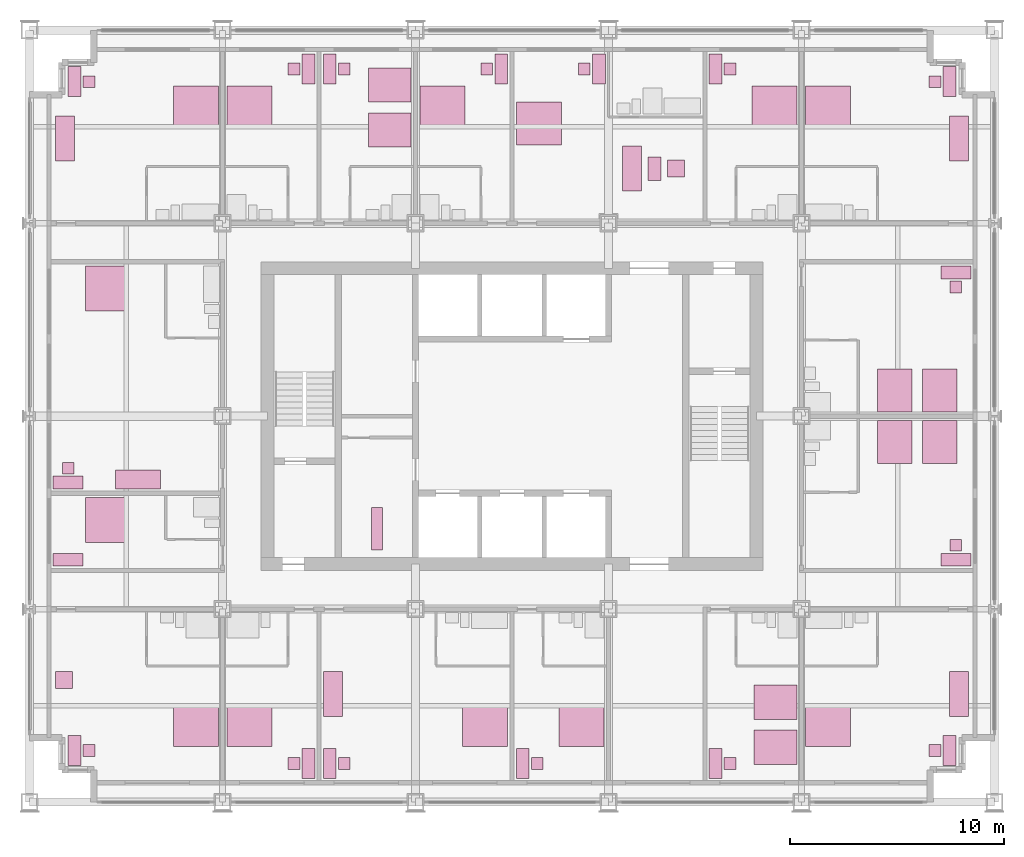
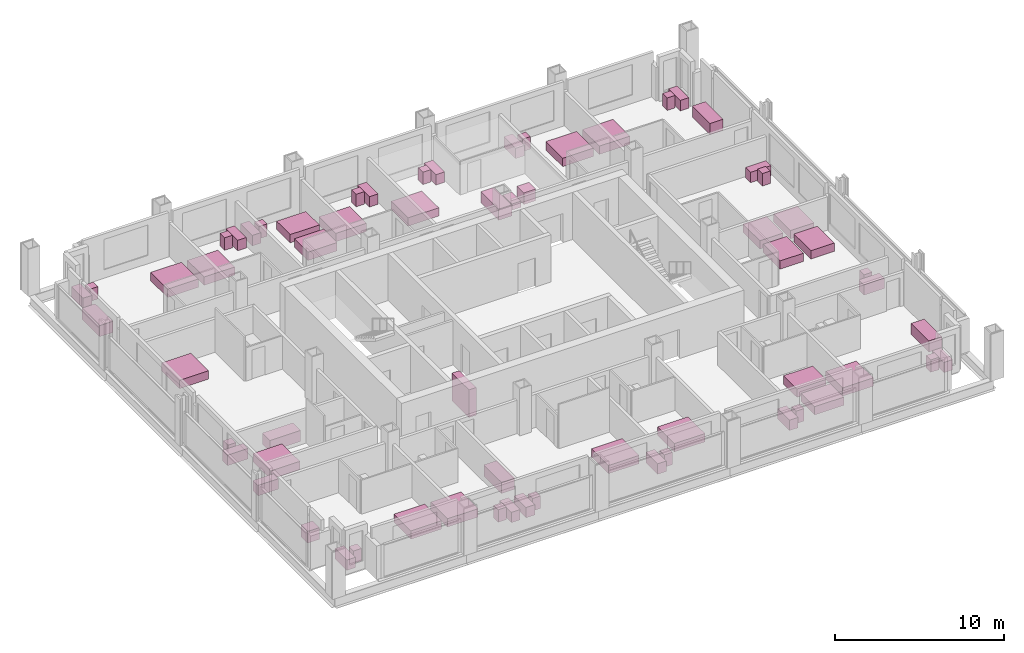
# One storey, part 16 of 16: 64 furniture elements.
"""IFC4 building model written with IfcOpenShell, lengths in metres."""

from ifc_helpers import new_model, si_unit, direction, frame, origin, origin_2d, place, context, subcontext, project, spatial, rectangle, extrude, element, save


model = new_model("IFC4")

# Units and contexts
model_context = context("Model", 3, precision=1e-05, world=origin(), true_north=direction((0.0, 1.0)))
body_context = subcontext(model_context, "Body", "Model", "MODEL_VIEW")
ifc_project = project(units=[si_unit("LENGTHUNIT", "METRE"), si_unit("AREAUNIT", "SQUARE_METRE"), si_unit("VOLUMEUNIT", "CUBIC_METRE"), si_unit("PLANEANGLEUNIT", "RADIAN"), si_unit("MASSUNIT", "GRAM", prefix="KILO")], contexts=[model_context])

# Site, building, storey
site_placement = place(None, origin())
site = spatial("IfcSite", under=ifc_project, at=site_placement, CompositionType="ELEMENT")
building_placement = place(site_placement, origin())
building = spatial("IfcBuilding", under=site, at=building_placement, Name="Loomwork Tower", CompositionType="ELEMENT")
storey_placement = place(building_placement, frame((0.0, 0.0, 101.0)))
storey = spatial("IfcBuildingStorey", under=building, at=storey_placement, Name="L26", CompositionType="ELEMENT", Elevation=101.0)

# Furniture
furniture_1_placement = place(storey_placement, frame((7.75, 3.60009765625, 0.0), z_axis=(0.0, 0.0, 1.0), x_axis=(1.0, 0.0, 0.0)))
element("IfcFurniture", 1, at=furniture_1_placement, inside=storey, Name="King bed L26", PredefinedType="BED", context=body_context, shape_type="SweptSolid", body=[
    extrude(rectangle(XDim=2.10009765625, YDim=2.0, at=origin_2d()), origin(), (0.0, 0.0, 1.0), 0.60009765625),
])
furniture_2_placement = place(storey_placement, frame((2.10009765625, 2.39990234375, 0.0), z_axis=(0.0, 0.0, 1.0), x_axis=(1.0, 0.0, 0.0)))
element("IfcFurniture", 2, at=furniture_2_placement, inside=storey, Name="Writing desk L26", PredefinedType="DESK", context=body_context, shape_type="SweptSolid", body=[
    extrude(rectangle(XDim=0.60009765625, YDim=1.39990234375, at=origin_2d()), origin(), (0.0, 0.0, 1.0), 0.75),
])
furniture_3_placement = place(storey_placement, frame((2.77490234375, 2.39990234375, 0.0), z_axis=(0.0, 0.0, 1.0), x_axis=(1.0, 0.0, 0.0)))
element("IfcFurniture", 3, at=furniture_3_placement, inside=storey, Name="Desk chair L26", PredefinedType="CHAIR", context=body_context, shape_type="SweptSolid", body=[
    extrude(rectangle(XDim=0.550048828125, YDim=0.550048828125, at=origin_2d()), origin(), (0.0, 0.0, 1.0), 0.89990234375),
])
furniture_4_placement = place(storey_placement, frame((1.60009765625, 5.699951171875, 0.0), z_axis=(0.0, 0.0, 1.0), x_axis=(1.0, 0.0, 0.0)))
element("IfcFurniture", 4, at=furniture_4_placement, inside=storey, Name="Lounge armchair L26", PredefinedType="CHAIR", context=body_context, shape_type="SweptSolid", body=[
    extrude(rectangle(XDim=0.800048828125, YDim=0.800048828125, at=origin_2d()), origin(), (0.0, 0.0, 1.0), 0.85009765625),
])
furniture_5_placement = place(storey_placement, frame((10.25, 3.60009765625, 0.0), z_axis=(0.0, 0.0, 1.0), x_axis=(1.0, 0.0, 0.0)))
element("IfcFurniture", 5, at=furniture_5_placement, inside=storey, Name="King bed L26", PredefinedType="BED", context=body_context, shape_type="SweptSolid", body=[
    extrude(rectangle(XDim=2.10009765625, YDim=2.0, at=origin_2d()), origin(), (0.0, 0.0, 1.0), 0.60009765625),
])
furniture_6_placement = place(storey_placement, frame((13.0, 1.800048828125, 0.0), z_axis=(0.0, 0.0, 1.0), x_axis=(1.0, 0.0, 0.0)))
element("IfcFurniture", 6, at=furniture_6_placement, inside=storey, Name="Writing desk L26", PredefinedType="DESK", context=body_context, shape_type="SweptSolid", body=[
    extrude(rectangle(XDim=0.60009765625, YDim=1.39990234375, at=origin_2d()), origin(), (0.0, 0.0, 1.0), 0.75),
])
furniture_7_placement = place(storey_placement, frame((12.324951171875, 1.800048828125, 0.0), z_axis=(0.0, 0.0, 1.0), x_axis=(1.0, 0.0, 0.0)))
element("IfcFurniture", 7, at=furniture_7_placement, inside=storey, Name="Desk chair L26", PredefinedType="CHAIR", context=body_context, shape_type="SweptSolid", body=[
    extrude(rectangle(XDim=0.550048828125, YDim=0.550048828125, at=origin_2d()), origin(), (0.0, 0.0, 1.0), 0.89990234375),
])
furniture_8_placement = place(storey_placement, frame((21.25, 3.60009765625, 0.0), z_axis=(0.0, 0.0, 1.0), x_axis=(1.0, 0.0, 0.0)))
element("IfcFurniture", 8, at=furniture_8_placement, inside=storey, Name="King bed L26", PredefinedType="BED", context=body_context, shape_type="SweptSolid", body=[
    extrude(rectangle(XDim=2.10009765625, YDim=2.0, at=origin_2d()), origin(), (0.0, 0.0, 1.0), 0.60009765625),
])
furniture_9_placement = place(storey_placement, frame((14.0, 1.800048828125, 0.0), z_axis=(0.0, 0.0, 1.0), x_axis=(1.0, 0.0, 0.0)))
element("IfcFurniture", 9, at=furniture_9_placement, inside=storey, Name="Writing desk L26", PredefinedType="DESK", context=body_context, shape_type="SweptSolid", body=[
    extrude(rectangle(XDim=0.60009765625, YDim=1.39990234375, at=origin_2d()), origin(), (0.0, 0.0, 1.0), 0.75),
])
furniture_10_placement = place(storey_placement, frame((14.675048828125, 1.800048828125, 0.0), z_axis=(0.0, 0.0, 1.0), x_axis=(1.0, 0.0, 0.0)))
element("IfcFurniture", 10, at=furniture_10_placement, inside=storey, Name="Desk chair L26", PredefinedType="CHAIR", context=body_context, shape_type="SweptSolid", body=[
    extrude(rectangle(XDim=0.550048828125, YDim=0.550048828125, at=origin_2d()), origin(), (0.0, 0.0, 1.0), 0.89990234375),
])
furniture_11_placement = place(storey_placement, frame((14.14990234375, 5.050048828125, 0.0), z_axis=(0.0, 0.0, 1.0), x_axis=(1.0, 0.0, 0.0)))
element("IfcFurniture", 11, at=furniture_11_placement, inside=storey, Name="Sofa L26", PredefinedType="SOFA", context=body_context, shape_type="SweptSolid", body=[
    extrude(rectangle(XDim=0.89990234375, YDim=2.10009765625, at=origin_2d()), origin(), (0.0, 0.0, 1.0), 0.800048828125),
])
furniture_12_placement = place(storey_placement, frame((25.75, 3.60009765625, 0.0), z_axis=(0.0, 0.0, 1.0), x_axis=(1.0, 0.0, 0.0)))
element("IfcFurniture", 12, at=furniture_12_placement, inside=storey, Name="King bed L26", PredefinedType="BED", context=body_context, shape_type="SweptSolid", body=[
    extrude(rectangle(XDim=2.10009765625, YDim=2.0, at=origin_2d()), origin(), (0.0, 0.0, 1.0), 0.60009765625),
])
furniture_13_placement = place(storey_placement, frame((23.0, 1.800048828125, 0.0), z_axis=(0.0, 0.0, 1.0), x_axis=(1.0, 0.0, 0.0)))
element("IfcFurniture", 13, at=furniture_13_placement, inside=storey, Name="Writing desk L26", PredefinedType="DESK", context=body_context, shape_type="SweptSolid", body=[
    extrude(rectangle(XDim=0.60009765625, YDim=1.39990234375, at=origin_2d()), origin(), (0.0, 0.0, 1.0), 0.75),
])
furniture_14_placement = place(storey_placement, frame((23.675048828125, 1.800048828125, 0.0), z_axis=(0.0, 0.0, 1.0), x_axis=(1.0, 0.0, 0.0)))
element("IfcFurniture", 14, at=furniture_14_placement, inside=storey, Name="Desk chair L26", PredefinedType="CHAIR", context=body_context, shape_type="SweptSolid", body=[
    extrude(rectangle(XDim=0.550048828125, YDim=0.550048828125, at=origin_2d()), origin(), (0.0, 0.0, 1.0), 0.89990234375),
])
for number, where, z_axis, x_axis, name in (
    (15, (34.800048828125, 4.64990234375, 0.0), (0.0, 0.0, 1.0), (1.0, 0.0, 0.0), "Queen bed L26"),
    (16, (34.800048828125, 2.550048828125, 0.0), (0.0, 0.0, 1.0), (1.0, 0.0, 0.0), "Queen bed L26"),
):
    element("IfcFurniture", number, at=place(storey_placement, frame(where, z_axis=z_axis, x_axis=x_axis)), inside=storey, Name=name, PredefinedType="BED", context=body_context, shape_type="SweptSolid", body=[
        extrude(rectangle(XDim=2.0, YDim=1.60009765625, at=origin_2d()), origin(), (0.0, 0.0, 1.0), 0.60009765625),
    ])
furniture_15_placement = place(storey_placement, frame((32.0, 1.800048828125, 0.0), z_axis=(0.0, 0.0, 1.0), x_axis=(1.0, 0.0, 0.0)))
element("IfcFurniture", 17, at=furniture_15_placement, inside=storey, Name="Writing desk L26", PredefinedType="DESK", context=body_context, shape_type="SweptSolid", body=[
    extrude(rectangle(XDim=0.60009765625, YDim=1.39990234375, at=origin_2d()), origin(), (0.0, 0.0, 1.0), 0.75),
])
furniture_16_placement = place(storey_placement, frame((32.675048828125, 1.800048828125, 0.0), z_axis=(0.0, 0.0, 1.0), x_axis=(1.0, 0.0, 0.0)))
element("IfcFurniture", 18, at=furniture_16_placement, inside=storey, Name="Desk chair L26", PredefinedType="CHAIR", context=body_context, shape_type="SweptSolid", body=[
    extrude(rectangle(XDim=0.550048828125, YDim=0.550048828125, at=origin_2d()), origin(), (0.0, 0.0, 1.0), 0.89990234375),
])
furniture_17_placement = place(storey_placement, frame((37.25, 3.60009765625, 0.0), z_axis=(0.0, 0.0, 1.0), x_axis=(1.0, 0.0, 0.0)))
element("IfcFurniture", 19, at=furniture_17_placement, inside=storey, Name="King bed L26", PredefinedType="BED", context=body_context, shape_type="SweptSolid", body=[
    extrude(rectangle(XDim=2.10009765625, YDim=2.0, at=origin_2d()), origin(), (0.0, 0.0, 1.0), 0.60009765625),
])
furniture_18_placement = place(storey_placement, frame((42.89990234375, 2.39990234375, 0.0), z_axis=(0.0, 0.0, 1.0), x_axis=(1.0, 0.0, 0.0)))
element("IfcFurniture", 20, at=furniture_18_placement, inside=storey, Name="Writing desk L26", PredefinedType="DESK", context=body_context, shape_type="SweptSolid", body=[
    extrude(rectangle(XDim=0.60009765625, YDim=1.39990234375, at=origin_2d()), origin(), (0.0, 0.0, 1.0), 0.75),
])
furniture_19_placement = place(storey_placement, frame((42.22509765625, 2.39990234375, 0.0), z_axis=(0.0, 0.0, 1.0), x_axis=(1.0, 0.0, 0.0)))
element("IfcFurniture", 21, at=furniture_19_placement, inside=storey, Name="Desk chair L26", PredefinedType="CHAIR", context=body_context, shape_type="SweptSolid", body=[
    extrude(rectangle(XDim=0.550048828125, YDim=0.550048828125, at=origin_2d()), origin(), (0.0, 0.0, 1.0), 0.89990234375),
])
furniture_20_placement = place(storey_placement, frame((43.35009765625, 5.050048828125, 0.0), z_axis=(0.0, 0.0, 1.0), x_axis=(1.0, 0.0, 0.0)))
element("IfcFurniture", 22, at=furniture_20_placement, inside=storey, Name="Sofa L26", PredefinedType="SOFA", context=body_context, shape_type="SweptSolid", body=[
    extrude(rectangle(XDim=0.89990234375, YDim=2.10009765625, at=origin_2d()), origin(), (0.0, 0.0, 1.0), 0.800048828125),
])
furniture_21_placement = place(storey_placement, frame((7.75, 32.39990234375, 0.0), z_axis=(0.0, 0.0, 1.0), x_axis=(1.0, 0.0, 0.0)))
element("IfcFurniture", 23, at=furniture_21_placement, inside=storey, Name="King bed L26", PredefinedType="BED", context=body_context, shape_type="SweptSolid", body=[
    extrude(rectangle(XDim=2.10009765625, YDim=2.0, at=origin_2d()), origin(), (0.0, 0.0, 1.0), 0.60009765625),
])
furniture_22_placement = place(storey_placement, frame((2.10009765625, 33.60009765625, 0.0), z_axis=(0.0, 0.0, 1.0), x_axis=(1.0, 0.0, 0.0)))
element("IfcFurniture", 24, at=furniture_22_placement, inside=storey, Name="Writing desk L26", PredefinedType="DESK", context=body_context, shape_type="SweptSolid", body=[
    extrude(rectangle(XDim=0.60009765625, YDim=1.39990234375, at=origin_2d()), origin(), (0.0, 0.0, 1.0), 0.75),
])
furniture_23_placement = place(storey_placement, frame((2.77490234375, 33.60009765625, 0.0), z_axis=(0.0, 0.0, 1.0), x_axis=(1.0, 0.0, 0.0)))
element("IfcFurniture", 25, at=furniture_23_placement, inside=storey, Name="Desk chair L26", PredefinedType="CHAIR", context=body_context, shape_type="SweptSolid", body=[
    extrude(rectangle(XDim=0.550048828125, YDim=0.550048828125, at=origin_2d()), origin(), (0.0, 0.0, 1.0), 0.89990234375),
])
furniture_24_placement = place(storey_placement, frame((1.64990234375, 30.949951171875, 0.0), z_axis=(0.0, 0.0, 1.0), x_axis=(1.0, 0.0, 0.0)))
element("IfcFurniture", 26, at=furniture_24_placement, inside=storey, Name="Sofa L26", PredefinedType="SOFA", context=body_context, shape_type="SweptSolid", body=[
    extrude(rectangle(XDim=0.89990234375, YDim=2.10009765625, at=origin_2d()), origin(), (0.0, 0.0, 1.0), 0.800048828125),
])
furniture_25_placement = place(storey_placement, frame((10.25, 32.39990234375, 0.0), z_axis=(0.0, 0.0, 1.0), x_axis=(1.0, 0.0, 0.0)))
element("IfcFurniture", 27, at=furniture_25_placement, inside=storey, Name="King bed L26", PredefinedType="BED", context=body_context, shape_type="SweptSolid", body=[
    extrude(rectangle(XDim=2.10009765625, YDim=2.0, at=origin_2d()), origin(), (0.0, 0.0, 1.0), 0.60009765625),
])
furniture_26_placement = place(storey_placement, frame((13.0, 34.199951171875, 0.0), z_axis=(0.0, 0.0, 1.0), x_axis=(1.0, 0.0, 0.0)))
element("IfcFurniture", 28, at=furniture_26_placement, inside=storey, Name="Writing desk L26", PredefinedType="DESK", context=body_context, shape_type="SweptSolid", body=[
    extrude(rectangle(XDim=0.60009765625, YDim=1.39990234375, at=origin_2d()), origin(), (0.0, 0.0, 1.0), 0.75),
])
furniture_27_placement = place(storey_placement, frame((12.324951171875, 34.199951171875, 0.0), z_axis=(0.0, 0.0, 1.0), x_axis=(1.0, 0.0, 0.0)))
element("IfcFurniture", 29, at=furniture_27_placement, inside=storey, Name="Desk chair L26", PredefinedType="CHAIR", context=body_context, shape_type="SweptSolid", body=[
    extrude(rectangle(XDim=0.550048828125, YDim=0.550048828125, at=origin_2d()), origin(), (0.0, 0.0, 1.0), 0.89990234375),
])
for number, where, z_axis, x_axis, name in (
    (30, (16.800048828125, 31.35009765625, 0.0), (0.0, 0.0, 1.0), (1.0, 0.0, 0.0), "Queen bed L26"),
    (31, (16.800048828125, 33.449951171875, 0.0), (0.0, 0.0, 1.0), (1.0, 0.0, 0.0), "Queen bed L26"),
):
    element("IfcFurniture", number, at=place(storey_placement, frame(where, z_axis=z_axis, x_axis=x_axis)), inside=storey, Name=name, PredefinedType="BED", context=body_context, shape_type="SweptSolid", body=[
        extrude(rectangle(XDim=2.0, YDim=1.60009765625, at=origin_2d()), origin(), (0.0, 0.0, 1.0), 0.60009765625),
    ])
furniture_28_placement = place(storey_placement, frame((14.0, 34.199951171875, 0.0), z_axis=(0.0, 0.0, 1.0), x_axis=(1.0, 0.0, 0.0)))
element("IfcFurniture", 32, at=furniture_28_placement, inside=storey, Name="Writing desk L26", PredefinedType="DESK", context=body_context, shape_type="SweptSolid", body=[
    extrude(rectangle(XDim=0.60009765625, YDim=1.39990234375, at=origin_2d()), origin(), (0.0, 0.0, 1.0), 0.75),
])
furniture_29_placement = place(storey_placement, frame((14.675048828125, 34.199951171875, 0.0), z_axis=(0.0, 0.0, 1.0), x_axis=(1.0, 0.0, 0.0)))
element("IfcFurniture", 33, at=furniture_29_placement, inside=storey, Name="Desk chair L26", PredefinedType="CHAIR", context=body_context, shape_type="SweptSolid", body=[
    extrude(rectangle(XDim=0.550048828125, YDim=0.550048828125, at=origin_2d()), origin(), (0.0, 0.0, 1.0), 0.89990234375),
])
furniture_30_placement = place(storey_placement, frame((19.25, 32.39990234375, 0.0), z_axis=(0.0, 0.0, 1.0), x_axis=(1.0, 0.0, 0.0)))
element("IfcFurniture", 34, at=furniture_30_placement, inside=storey, Name="King bed L26", PredefinedType="BED", context=body_context, shape_type="SweptSolid", body=[
    extrude(rectangle(XDim=2.10009765625, YDim=2.0, at=origin_2d()), origin(), (0.0, 0.0, 1.0), 0.60009765625),
])
furniture_31_placement = place(storey_placement, frame((22.0, 34.199951171875, 0.0), z_axis=(0.0, 0.0, 1.0), x_axis=(1.0, 0.0, 0.0)))
element("IfcFurniture", 35, at=furniture_31_placement, inside=storey, Name="Writing desk L26", PredefinedType="DESK", context=body_context, shape_type="SweptSolid", body=[
    extrude(rectangle(XDim=0.60009765625, YDim=1.39990234375, at=origin_2d()), origin(), (0.0, 0.0, 1.0), 0.75),
])
furniture_32_placement = place(storey_placement, frame((21.324951171875, 34.199951171875, 0.0), z_axis=(0.0, 0.0, 1.0), x_axis=(1.0, 0.0, 0.0)))
element("IfcFurniture", 36, at=furniture_32_placement, inside=storey, Name="Desk chair L26", PredefinedType="CHAIR", context=body_context, shape_type="SweptSolid", body=[
    extrude(rectangle(XDim=0.550048828125, YDim=0.550048828125, at=origin_2d()), origin(), (0.0, 0.0, 1.0), 0.89990234375),
])
furniture_33_placement = place(storey_placement, frame((23.75, 31.64990234375, 0.0), z_axis=(0.0, 0.0, 1.0), x_axis=(1.0, 0.0, 0.0)))
element("IfcFurniture", 37, at=furniture_33_placement, inside=storey, Name="King bed L26", PredefinedType="BED", context=body_context, shape_type="SweptSolid", body=[
    extrude(rectangle(XDim=2.10009765625, YDim=2.0, at=origin_2d()), origin(), (0.0, 0.0, 1.0), 0.60009765625),
])
furniture_34_placement = place(storey_placement, frame((26.550048828125, 34.199951171875, 0.0), z_axis=(0.0, 0.0, 1.0), x_axis=(1.0, 0.0, 0.0)))
element("IfcFurniture", 38, at=furniture_34_placement, inside=storey, Name="Writing desk L26", PredefinedType="DESK", context=body_context, shape_type="SweptSolid", body=[
    extrude(rectangle(XDim=0.60009765625, YDim=1.39990234375, at=origin_2d()), origin(), (0.0, 0.0, 1.0), 0.75),
])
furniture_35_placement = place(storey_placement, frame((25.875, 34.199951171875, 0.0), z_axis=(0.0, 0.0, 1.0), x_axis=(1.0, 0.0, 0.0)))
element("IfcFurniture", 39, at=furniture_35_placement, inside=storey, Name="Desk chair L26", PredefinedType="CHAIR", context=body_context, shape_type="SweptSolid", body=[
    extrude(rectangle(XDim=0.550048828125, YDim=0.550048828125, at=origin_2d()), origin(), (0.0, 0.0, 1.0), 0.89990234375),
])
furniture_36_placement = place(storey_placement, frame((28.10009765625, 29.550048828125, 0.0), z_axis=(0.0, 0.0, 1.0), x_axis=(1.0, 0.0, 0.0)))
element("IfcFurniture", 40, at=furniture_36_placement, inside=storey, Name="Sofa L26", PredefinedType="SOFA", context=body_context, shape_type="SweptSolid", body=[
    extrude(rectangle(XDim=0.89990234375, YDim=2.10009765625, at=origin_2d()), origin(), (0.0, 0.0, 1.0), 0.800048828125),
])
furniture_37_placement = place(storey_placement, frame((29.14990234375, 29.550048828125, 0.0), z_axis=(0.0, 0.0, 1.0), x_axis=(1.0, 0.0, 0.0)))
element("IfcFurniture", 41, at=furniture_37_placement, inside=storey, Name="Coffee table L26", PredefinedType="TABLE", context=body_context, shape_type="SweptSolid", body=[
    extrude(rectangle(XDim=0.60009765625, YDim=1.10009765625, at=origin_2d()), origin(), (0.0, 0.0, 1.0), 0.449951171875),
])
furniture_38_placement = place(storey_placement, frame((30.14990234375, 29.550048828125, 0.0), z_axis=(0.0, 0.0, 1.0), x_axis=(1.0, 0.0, 0.0)))
element("IfcFurniture", 42, at=furniture_38_placement, inside=storey, Name="Lounge armchair L26", PredefinedType="CHAIR", context=body_context, shape_type="SweptSolid", body=[
    extrude(rectangle(XDim=0.800048828125, YDim=0.800048828125, at=origin_2d()), origin(), (0.0, 0.0, 1.0), 0.85009765625),
])
furniture_39_placement = place(storey_placement, frame((34.75, 32.39990234375, 0.0), z_axis=(0.0, 0.0, 1.0), x_axis=(1.0, 0.0, 0.0)))
element("IfcFurniture", 43, at=furniture_39_placement, inside=storey, Name="King bed L26", PredefinedType="BED", context=body_context, shape_type="SweptSolid", body=[
    extrude(rectangle(XDim=2.10009765625, YDim=2.0, at=origin_2d()), origin(), (0.0, 0.0, 1.0), 0.60009765625),
])
furniture_40_placement = place(storey_placement, frame((32.0, 34.199951171875, 0.0), z_axis=(0.0, 0.0, 1.0), x_axis=(1.0, 0.0, 0.0)))
element("IfcFurniture", 44, at=furniture_40_placement, inside=storey, Name="Writing desk L26", PredefinedType="DESK", context=body_context, shape_type="SweptSolid", body=[
    extrude(rectangle(XDim=0.60009765625, YDim=1.39990234375, at=origin_2d()), origin(), (0.0, 0.0, 1.0), 0.75),
])
furniture_41_placement = place(storey_placement, frame((32.675048828125, 34.199951171875, 0.0), z_axis=(0.0, 0.0, 1.0), x_axis=(1.0, 0.0, 0.0)))
element("IfcFurniture", 45, at=furniture_41_placement, inside=storey, Name="Desk chair L26", PredefinedType="CHAIR", context=body_context, shape_type="SweptSolid", body=[
    extrude(rectangle(XDim=0.550048828125, YDim=0.550048828125, at=origin_2d()), origin(), (0.0, 0.0, 1.0), 0.89990234375),
])
furniture_42_placement = place(storey_placement, frame((37.25, 32.39990234375, 0.0), z_axis=(0.0, 0.0, 1.0), x_axis=(1.0, 0.0, 0.0)))
element("IfcFurniture", 46, at=furniture_42_placement, inside=storey, Name="King bed L26", PredefinedType="BED", context=body_context, shape_type="SweptSolid", body=[
    extrude(rectangle(XDim=2.10009765625, YDim=2.0, at=origin_2d()), origin(), (0.0, 0.0, 1.0), 0.60009765625),
])
furniture_43_placement = place(storey_placement, frame((42.89990234375, 33.60009765625, 0.0), z_axis=(0.0, 0.0, 1.0), x_axis=(1.0, 0.0, 0.0)))
element("IfcFurniture", 47, at=furniture_43_placement, inside=storey, Name="Writing desk L26", PredefinedType="DESK", context=body_context, shape_type="SweptSolid", body=[
    extrude(rectangle(XDim=0.60009765625, YDim=1.39990234375, at=origin_2d()), origin(), (0.0, 0.0, 1.0), 0.75),
])
furniture_44_placement = place(storey_placement, frame((42.22509765625, 33.60009765625, 0.0), z_axis=(0.0, 0.0, 1.0), x_axis=(1.0, 0.0, 0.0)))
element("IfcFurniture", 48, at=furniture_44_placement, inside=storey, Name="Desk chair L26", PredefinedType="CHAIR", context=body_context, shape_type="SweptSolid", body=[
    extrude(rectangle(XDim=0.550048828125, YDim=0.550048828125, at=origin_2d()), origin(), (0.0, 0.0, 1.0), 0.89990234375),
])
furniture_45_placement = place(storey_placement, frame((43.35009765625, 30.949951171875, 0.0), z_axis=(0.0, 0.0, 1.0), x_axis=(1.0, 0.0, 0.0)))
element("IfcFurniture", 49, at=furniture_45_placement, inside=storey, Name="Sofa L26", PredefinedType="SOFA", context=body_context, shape_type="SweptSolid", body=[
    extrude(rectangle(XDim=0.89990234375, YDim=2.10009765625, at=origin_2d()), origin(), (0.0, 0.0, 1.0), 0.800048828125),
])
furniture_46_placement = place(storey_placement, frame((3.60009765625, 13.14990234375, 0.0), z_axis=(0.0, 0.0, 1.0), x_axis=(1.0, 0.0, 0.0)))
element("IfcFurniture", 50, at=furniture_46_placement, inside=storey, Name="King bed L26", PredefinedType="BED", context=body_context, shape_type="SweptSolid", body=[
    extrude(rectangle(XDim=2.0, YDim=2.10009765625, at=origin_2d()), origin(), (0.0, 0.0, 1.0), 0.60009765625),
])
furniture_47_placement = place(storey_placement, frame((1.800048828125, 11.300048828125, 0.0), z_axis=(0.0, 0.0, 1.0), x_axis=(1.0, 0.0, 0.0)))
element("IfcFurniture", 51, at=furniture_47_placement, inside=storey, Name="Writing desk L26", PredefinedType="DESK", context=body_context, shape_type="SweptSolid", body=[
    extrude(rectangle(XDim=1.39990234375, YDim=0.60009765625, at=origin_2d()), origin(), (0.0, 0.0, 1.0), 0.75),
])
furniture_48_placement = place(storey_placement, frame((3.60009765625, 23.949951171875, 0.0), z_axis=(0.0, 0.0, 1.0), x_axis=(1.0, 0.0, 0.0)))
element("IfcFurniture", 52, at=furniture_48_placement, inside=storey, Name="King bed L26", PredefinedType="BED", context=body_context, shape_type="SweptSolid", body=[
    extrude(rectangle(XDim=2.0, YDim=2.10009765625, at=origin_2d()), origin(), (0.0, 0.0, 1.0), 0.60009765625),
])
furniture_49_placement = place(storey_placement, frame((1.800048828125, 14.89990234375, 0.0), z_axis=(0.0, 0.0, 1.0), x_axis=(1.0, 0.0, 0.0)))
element("IfcFurniture", 53, at=furniture_49_placement, inside=storey, Name="Writing desk L26", PredefinedType="DESK", context=body_context, shape_type="SweptSolid", body=[
    extrude(rectangle(XDim=1.39990234375, YDim=0.60009765625, at=origin_2d()), origin(), (0.0, 0.0, 1.0), 0.75),
])
furniture_50_placement = place(storey_placement, frame((1.800048828125, 15.574951171875, 0.0), z_axis=(0.0, 0.0, 1.0), x_axis=(1.0, 0.0, 0.0)))
element("IfcFurniture", 54, at=furniture_50_placement, inside=storey, Name="Desk chair L26", PredefinedType="CHAIR", context=body_context, shape_type="SweptSolid", body=[
    extrude(rectangle(XDim=0.550048828125, YDim=0.550048828125, at=origin_2d()), origin(), (0.0, 0.0, 1.0), 0.89990234375),
])
furniture_51_placement = place(storey_placement, frame((5.050048828125, 15.050048828125, 0.0), z_axis=(0.0, 0.0, 1.0), x_axis=(1.0, 0.0, 0.0)))
element("IfcFurniture", 55, at=furniture_51_placement, inside=storey, Name="Sofa L26", PredefinedType="SOFA", context=body_context, shape_type="SweptSolid", body=[
    extrude(rectangle(XDim=2.10009765625, YDim=0.89990234375, at=origin_2d()), origin(), (0.0, 0.0, 1.0), 0.800048828125),
])
for number, where, z_axis, x_axis, name in (
    (56, (40.35009765625, 16.800048828125, 0.0), (0.0, 0.0, 1.0), (1.0, 0.0, 0.0), "Queen bed L26"),
    (57, (42.449951171875, 16.800048828125, 0.0), (0.0, 0.0, 1.0), (1.0, 0.0, 0.0), "Queen bed L26"),
):
    element("IfcFurniture", number, at=place(storey_placement, frame(where, z_axis=z_axis, x_axis=x_axis)), inside=storey, Name=name, PredefinedType="BED", context=body_context, shape_type="SweptSolid", body=[
        extrude(rectangle(XDim=1.60009765625, YDim=2.0, at=origin_2d()), origin(), (0.0, 0.0, 1.0), 0.60009765625),
    ])
furniture_52_placement = place(storey_placement, frame((43.199951171875, 11.300048828125, 0.0), z_axis=(0.0, 0.0, 1.0), x_axis=(1.0, 0.0, 0.0)))
element("IfcFurniture", 58, at=furniture_52_placement, inside=storey, Name="Writing desk L26", PredefinedType="DESK", context=body_context, shape_type="SweptSolid", body=[
    extrude(rectangle(XDim=1.39990234375, YDim=0.60009765625, at=origin_2d()), origin(), (0.0, 0.0, 1.0), 0.75),
])
furniture_53_placement = place(storey_placement, frame((43.199951171875, 11.97509765625, 0.0), z_axis=(0.0, 0.0, 1.0), x_axis=(1.0, 0.0, 0.0)))
element("IfcFurniture", 59, at=furniture_53_placement, inside=storey, Name="Desk chair L26", PredefinedType="CHAIR", context=body_context, shape_type="SweptSolid", body=[
    extrude(rectangle(XDim=0.550048828125, YDim=0.550048828125, at=origin_2d()), origin(), (0.0, 0.0, 1.0), 0.89990234375),
])
for number, where, z_axis, x_axis, name in (
    (60, (40.35009765625, 19.199951171875, 0.0), (0.0, 0.0, 1.0), (1.0, 0.0, 0.0), "Queen bed L26"),
    (61, (42.449951171875, 19.199951171875, 0.0), (0.0, 0.0, 1.0), (1.0, 0.0, 0.0), "Queen bed L26"),
):
    element("IfcFurniture", number, at=place(storey_placement, frame(where, z_axis=z_axis, x_axis=x_axis)), inside=storey, Name=name, PredefinedType="BED", context=body_context, shape_type="SweptSolid", body=[
        extrude(rectangle(XDim=1.60009765625, YDim=2.0, at=origin_2d()), origin(), (0.0, 0.0, 1.0), 0.60009765625),
    ])
furniture_54_placement = place(storey_placement, frame((43.199951171875, 24.699951171875, 0.0), z_axis=(0.0, 0.0, 1.0), x_axis=(1.0, 0.0, 0.0)))
element("IfcFurniture", 62, at=furniture_54_placement, inside=storey, Name="Writing desk L26", PredefinedType="DESK", context=body_context, shape_type="SweptSolid", body=[
    extrude(rectangle(XDim=1.39990234375, YDim=0.60009765625, at=origin_2d()), origin(), (0.0, 0.0, 1.0), 0.75),
])
furniture_55_placement = place(storey_placement, frame((43.199951171875, 24.02490234375, 0.0), z_axis=(0.0, 0.0, 1.0), x_axis=(1.0, 0.0, 0.0)))
element("IfcFurniture", 63, at=furniture_55_placement, inside=storey, Name="Desk chair L26", PredefinedType="CHAIR", context=body_context, shape_type="SweptSolid", body=[
    extrude(rectangle(XDim=0.550048828125, YDim=0.550048828125, at=origin_2d()), origin(), (0.0, 0.0, 1.0), 0.89990234375),
])
furniture_56_placement = place(storey_placement, frame((16.199951171875, 12.75, 0.0), z_axis=(0.0, 0.0, 1.0), x_axis=(1.0, 0.0, 0.0)))
element("IfcFurniture", 64, at=furniture_56_placement, inside=storey, Name="Linen shelving L26", PredefinedType="SHELF", context=body_context, shape_type="SweptSolid", body=[
    extrude(rectangle(XDim=0.5, YDim=2.0, at=origin_2d()), origin(), (0.0, 0.0, 1.0), 2.0),
])

save(model, "model.ifc")
